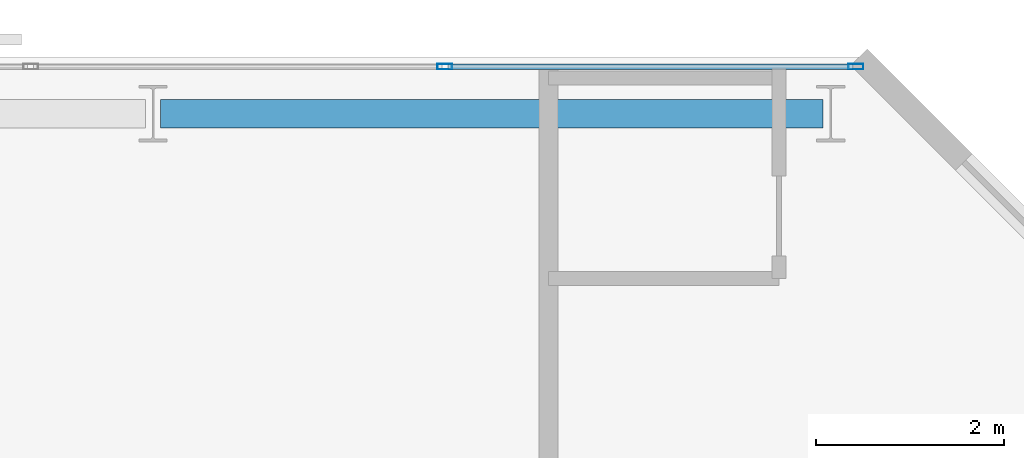
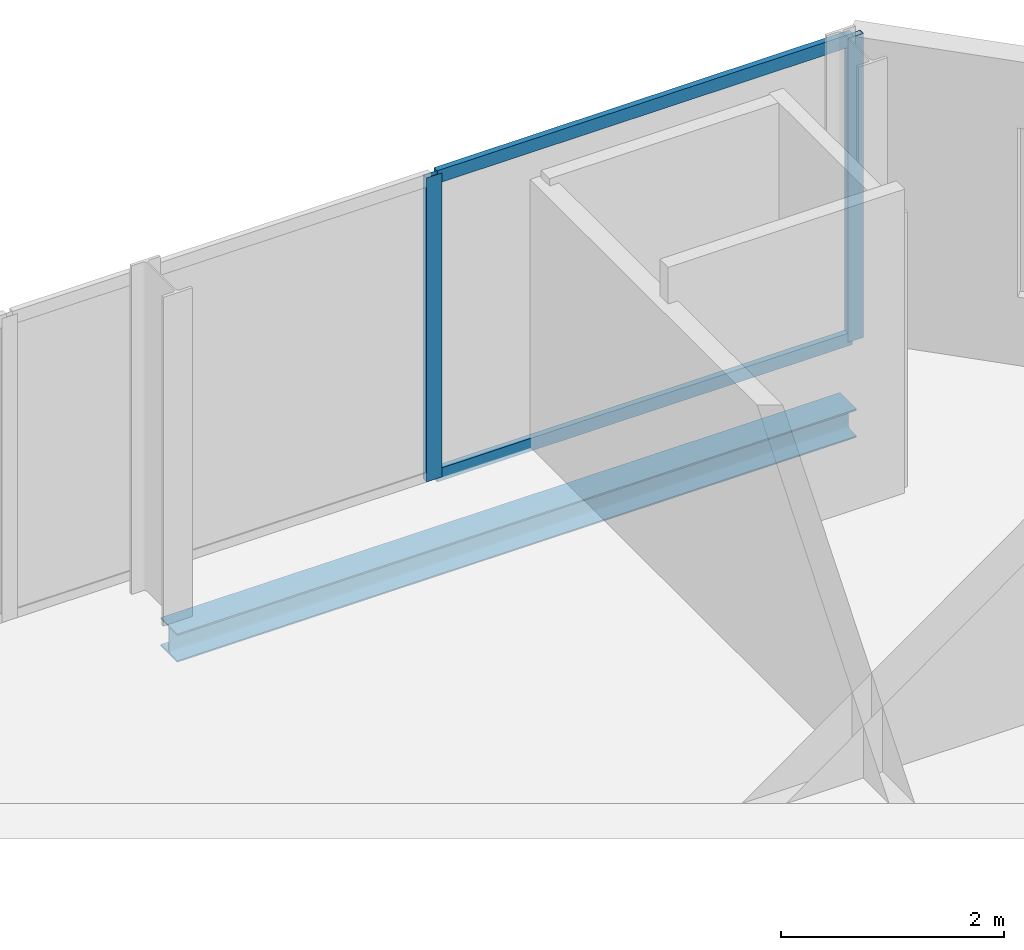
# One storey, part 25 of 32: 4 members, 1 beam, 1 element without a shape of its own.
"""IFC4 building model written with IfcOpenShell, lengths in metres."""

from ifc_helpers import new_model, si_unit, direction, frame, origin, origin_2d, place, context, subcontext, project, spatial, hollow_rectangle, i_section, extrude, material, layer, layer_set, material_profile, profile_set, type_object, element, aggregate, save


model = new_model("IFC4")

# Units and contexts
model_context = context("Model", 3, precision=1e-05, world=origin(), true_north=direction((0.0, 1.0)))
body_context = subcontext(model_context, "Body", "Model", "MODEL_VIEW")
ifc_project = project(units=[si_unit("LENGTHUNIT", "METRE"), si_unit("AREAUNIT", "SQUARE_METRE"), si_unit("VOLUMEUNIT", "CUBIC_METRE"), si_unit("PLANEANGLEUNIT", "RADIAN"), si_unit("MASSUNIT", "GRAM", prefix="KILO")], contexts=[model_context])

# Site, building, storey
site_placement = place(None, origin())
site = spatial("IfcSite", under=ifc_project, at=site_placement, CompositionType="ELEMENT")
building_placement = place(site_placement, origin())
building = spatial("IfcBuilding", under=site, at=building_placement, Name="Catumbela Crestline Tower", CompositionType="ELEMENT")
storey_placement = place(building_placement, frame((0.0, 0.0, 136.8)))
storey = spatial("IfcBuildingStorey", under=building, at=storey_placement, Name="L35", CompositionType="ELEMENT", Elevation=136.8)

# Curtain wall, members
ifc_material_1 = material(Name="Aluminium alloy AW-6060-T66", Category="aluminium")
ifc_layer = layer(ifc_material_1, 0.18, Name="Aluminium alloy AW-6060-T66")
ifc_layer_set = layer_set([ifc_layer], Name="Aluminium alloy AW-6060-T66")
curtain_wall_type = type_object("IfcCurtainWallType", Name="CWU-Z2", PredefinedType="USERDEFINED", material=ifc_layer_set)
curtain_wall_placement = place(storey_placement, origin())
curtain_wall = element("IfcCurtainWall", 1, at=curtain_wall_placement, inside=storey, type_object=curtain_wall_type, Name="L35 Unitised Curtain Wall CW-L35-E7S1", ObjectType="UNITISED", PredefinedType="USERDEFINED")
ifc_material_profile_1 = material_profile(ifc_material_1, hollow_rectangle(XDim=0.06, YDim=0.16, WallThickness=0.004, at=origin_2d()), Name="ALU 160x60x4")
ifc_profile_set_1 = profile_set([ifc_material_profile_1], Name="Aluminium alloy AW-6060-T66")
member_type_1 = type_object("IfcMemberType", Name="MUL-160X60", PredefinedType="MULLION", material=ifc_profile_set_1)
member_1_placement = place(storey_placement, frame((47.4675, 47.9, 0.0), z_axis=(0.0, 0.0, 1.0), x_axis=(0.0, -1.0, 0.0)))
member_1 = element("IfcMember", 2, at=member_1_placement, type_object=member_type_1, Name="CWU-Z2 mullion 1", PredefinedType="MULLION", context=body_context, shape_type="SweptSolid", body=[
    extrude(hollow_rectangle(XDim=0.06, YDim=0.16, WallThickness=0.004, at=origin_2d()), origin(), (0.0, 0.0, 1.0), 3.33),
])
member_2_placement = place(storey_placement, frame((43.1, 47.9, 0.0), z_axis=(0.0, 0.0, 1.0), x_axis=(0.0, -1.0, 0.0)))
member_2 = element("IfcMember", 3, at=member_2_placement, type_object=member_type_1, Name="CWU-Z2 mullion 2", PredefinedType="MULLION", context=body_context, shape_type="SweptSolid", body=[
    extrude(hollow_rectangle(XDim=0.06, YDim=0.16, WallThickness=0.004, at=origin_2d()), origin(), (0.0, 0.0, 1.0), 3.33),
])

# Beam
ifc_material_2 = material(Name="Structural steel S355J2", Category="steel")
ifc_material_profile_2 = material_profile(ifc_material_2, i_section(OverallWidth=0.3, OverallDepth=0.31, WebThickness=0.009, FlangeThickness=0.0155, FilletRadius=0.027, at=origin_2d()), Name="HEA 320")
ifc_profile_set_2 = profile_set([ifc_material_profile_2], Name="Structural steel S355J2")
beam_type = type_object("IfcBeamType", Name="BS-HEA320", PredefinedType="SPANDREL", material=ifc_profile_set_2)
beam_placement = place(storey_placement, frame((40.08, 47.4, -0.415), z_axis=(1.0, 0.0, 0.0), x_axis=(0.0, 1.0, 0.0)))
element("IfcBeam", 4, at=beam_placement, inside=storey, type_object=beam_type, Name="L35 Spandrel SP-L35-NF21", PredefinedType="SPANDREL", context=body_context, shape_type="SweptSolid", body=[
    extrude(i_section(OverallWidth=0.3, OverallDepth=0.31, WebThickness=0.009, FlangeThickness=0.0155, FilletRadius=0.027, at=origin_2d()), origin(), (0.0, 0.0, 1.0), 7.04),
])

# Member
ifc_material_profile_3 = material_profile(ifc_material_1, hollow_rectangle(XDim=0.06, YDim=0.14, WallThickness=0.004, at=origin_2d()), Name="ALU 140x60x4")
ifc_profile_set_3 = profile_set([ifc_material_profile_3], Name="Aluminium alloy AW-6060-T66")
member_type_2 = type_object("IfcMemberType", Name="TRN-140X60", PredefinedType="USERDEFINED", material=ifc_profile_set_3)
member_3_placement = place(storey_placement, frame((47.435, 47.9, 0.03), z_axis=(-1.0, 0.0, 0.0), x_axis=(0.0, -1.0, 0.0)))
member_3 = element("IfcMember", 5, at=member_3_placement, type_object=member_type_2, Name="CWU-Z2 transom 1.1", ObjectType="TRANSOM", PredefinedType="USERDEFINED", context=body_context, shape_type="SweptSolid", body=[
    extrude(hollow_rectangle(XDim=0.06, YDim=0.14, WallThickness=0.004, at=origin_2d()), origin(), (0.0, 0.0, 1.0), 4.3025),
])

member_4_placement = place(storey_placement, frame((47.435, 47.9, 3.3), z_axis=(-1.0, 0.0, 0.0), x_axis=(0.0, -1.0, 0.0)))
member_4 = element("IfcMember", 6, at=member_4_placement, type_object=member_type_2, Name="CWU-Z2 transom 1.2", ObjectType="TRANSOM", PredefinedType="USERDEFINED", context=body_context, shape_type="SweptSolid", body=[
    extrude(hollow_rectangle(XDim=0.06, YDim=0.14, WallThickness=0.004, at=origin_2d()), origin(), (0.0, 0.0, 1.0), 4.3025),
])

aggregate(curtain_wall, [member_1, member_2, member_3, member_4])

save(model, "model.ifc")
